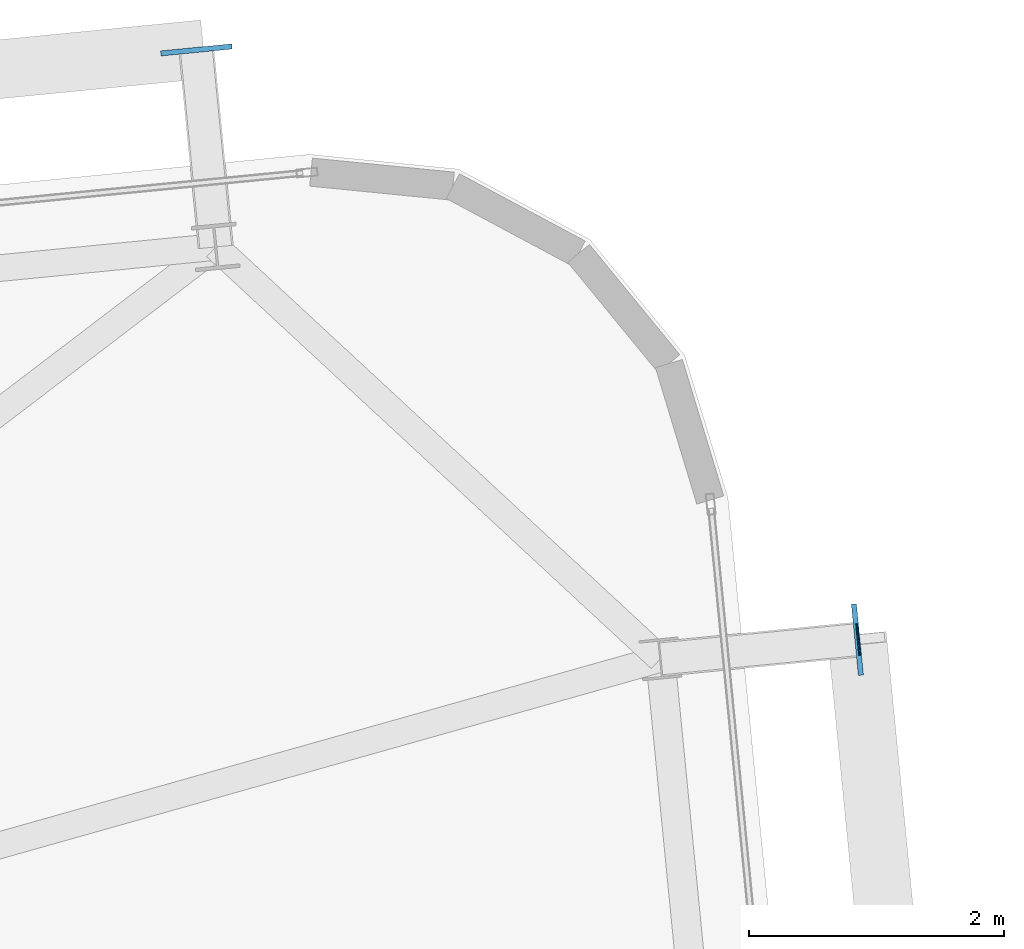
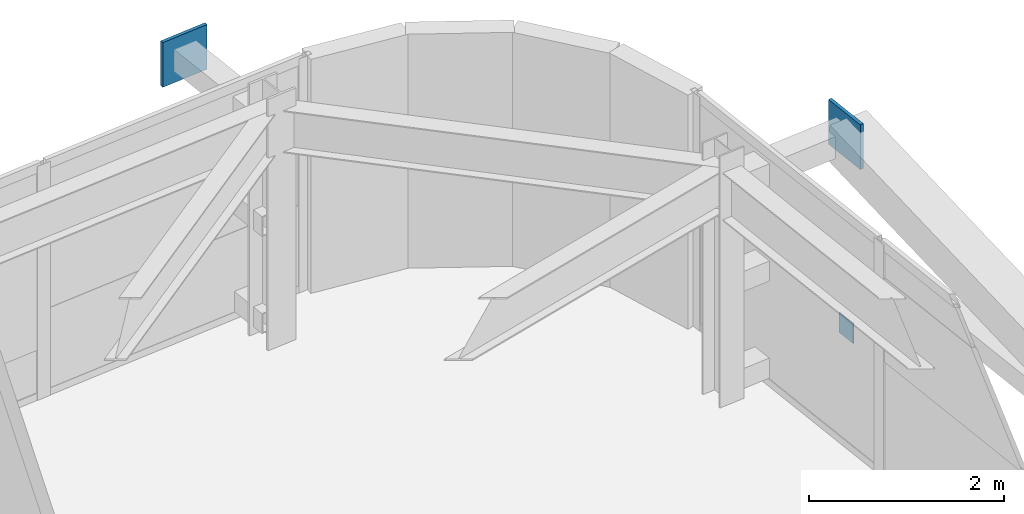
# One storey, part 45 of 53: 3 plates.
"""IFC4 building model written with IfcOpenShell, lengths in metres."""

from ifc_helpers import new_model, si_unit, direction, frame, origin, origin_2d, place, context, subcontext, project, spatial, rectangle, extrude, source, transform, mapped, material, layer, layer_set, type_object, element, save


model = new_model("IFC4")

# Units and contexts
model_context = context("Model", 3, precision=1e-05, world=origin(), true_north=direction((0.0, 1.0)))
body_context = subcontext(model_context, "Body", "Model", "MODEL_VIEW")
ifc_project = project(units=[si_unit("LENGTHUNIT", "METRE"), si_unit("AREAUNIT", "SQUARE_METRE"), si_unit("VOLUMEUNIT", "CUBIC_METRE"), si_unit("PLANEANGLEUNIT", "RADIAN"), si_unit("MASSUNIT", "GRAM", prefix="KILO")], contexts=[model_context])

# Site, building, storey
site_placement = place(None, origin())
site = spatial("IfcSite", under=ifc_project, at=site_placement, CompositionType="ELEMENT")
building_placement = place(site_placement, origin())
building = spatial("IfcBuilding", under=site, at=building_placement, Name="Taldren Reach Tower", CompositionType="ELEMENT")
storey_placement = place(building_placement, frame((0.0, 0.0, 84.0)))
storey = spatial("IfcBuildingStorey", under=building, at=storey_placement, Name="L25", CompositionType="ELEMENT", Elevation=84.0)

# Plates
ifc_material_1 = material(Name="Steel Gr 450 (C450L0)", Category="steel")
ifc_layer_1 = layer(ifc_material_1, 0.0400390625)
ifc_layer_set_1 = layer_set([ifc_layer_1], Name="Steel Gr 450 (C450L0)")
plate_type_1 = type_object("IfcPlateType", Name="PL-GUSSET-40", PredefinedType="SHEET", material=ifc_layer_set_1)
shared_shape_1 = source(origin(), body_context, "Body", "SweptSolid", [
    extrude(rectangle(XDim=0.56005859375, YDim=0.0400390625, at=origin_2d()), origin(), (0.0, 0.0, 1.0), 0.56005859375),
])
for number, where, z_axis, x_axis, name in (
    (1, (59.614501953125, 40.222412109375, 2.369873046875), (0.0, 0.0, 1.0), (0.995227399982, 0.097582899759, 0.0), "Exoskeleton star-node gusset plate B2-N6 L25"),
    (2, (64.789794921875, 35.60546875, 2.369873046875), (0.0, 0.0, 1.0), (-0.097582899759, 0.995227399982, 0.0), "Exoskeleton star-node gusset plate B2-E3 L25"),
):
    element("IfcPlate", number, at=place(storey_placement, frame(where, z_axis=z_axis, x_axis=x_axis)), inside=storey, type_object=plate_type_1, Name=name, PredefinedType="SHEET", context=body_context, shape_type="MappedRepresentation", body=[
        mapped(shared_shape_1, transform((0.0, 0.0, 0.0), scale=1.0)),
    ])
ifc_material_2 = material(Name="Steel Gr 350 (C350L0)", Category="steel")
ifc_layer_2 = layer(ifc_material_2, 0.011962890625)
ifc_layer_set_2 = layer_set([ifc_layer_2], Name="Steel Gr 350 (C350L0)")
plate_type_2 = type_object("IfcPlateType", Name="PL-CAP-250", PredefinedType="SHEET", material=ifc_layer_set_2)
shared_shape_2 = source(origin(), body_context, "Body", "SweptSolid", [
    extrude(rectangle(XDim=0.011962890625, YDim=0.25, at=origin_2d()), origin(), (0.0, 0.0, 1.0), 0.25),
])
plate_placement = place(storey_placement, frame((64.7958984375, 35.60595703125, 0.094970703125), z_axis=(0.0, 0.0, 1.0), x_axis=(0.995227399982, 0.097582899759, 0.0)))
element("IfcPlate", 3, at=plate_placement, inside=storey, type_object=plate_type_2, Name="Tie strut end cap plate B2-E3 L25", PredefinedType="SHEET", context=body_context, shape_type="MappedRepresentation", body=[
    mapped(shared_shape_2, transform((0.0, 0.0, 0.0), scale=1.0)),
])

save(model, "model.ifc")
